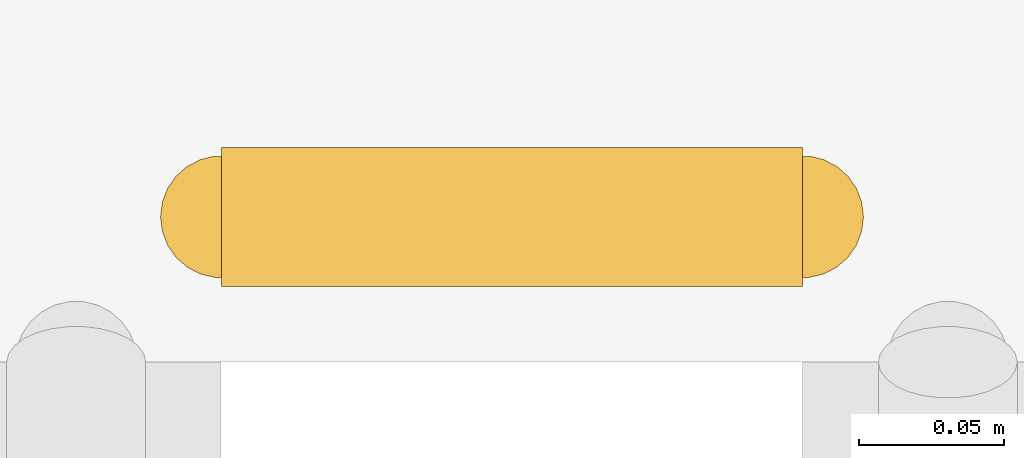
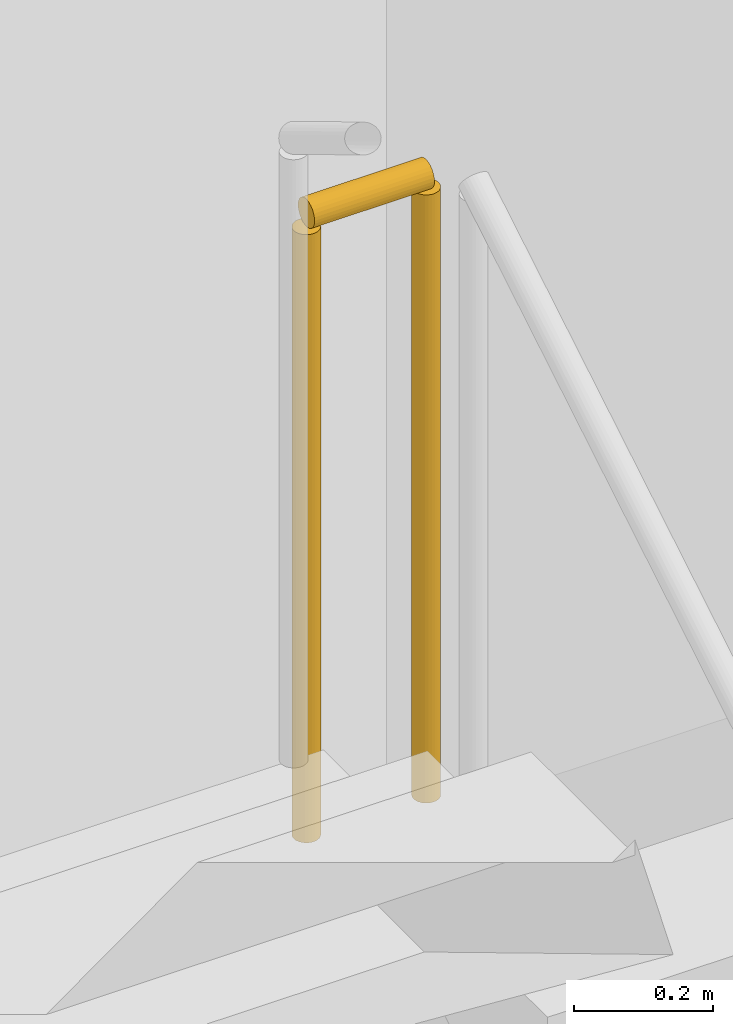
# One storey, part 72 of 74: 1 railing.
"""IFC4 building model written with IfcOpenShell, lengths in metres."""

import ifcopenshell
import ifcopenshell.guid

model = None  # the IFC model being written
_history = None  # IfcOwnerHistory: only IFC2X3 demands one
_inside = {}  # id of a spatial element -> (the spatial element, [elements in it])
_under = {}  # id of a project, library or spatial element -> (it, [spatial elements below it])
_declared = {}  # id of a project -> (the project, [libraries it declares])
_typed = {}  # id of a type object -> (the type object, [elements of that type])
_made_of = {}  # id of a material, layer set ... -> (it, [elements and type objects made of it])


def new_model(schema):
    """Start an empty IFC model of exactly this schema.

    Asked for "IFC4X3", IfcOpenShell would pick the latest addendum, in which some entities
    have other attributes; the version numbers below select the first issue.
    IFC2X3 requires an IfcOwnerHistory on every rooted entity: one is made here for all.
    """
    global model, _history
    if schema == "IFC4X3":
        model = ifcopenshell.file(schema_version=(4, 3, 0, 0))
    else:
        model = ifcopenshell.file(schema=schema)
    _inside.clear()
    _under.clear()
    _declared.clear()
    _typed.clear()
    _made_of.clear()
    _history = None
    if model.schema == "IFC2X3":
        org = make("IfcOrganization", Name="unknown")
        user = make(
            "IfcPersonAndOrganization",
            ThePerson=make("IfcPerson", FamilyName="unknown"),
            TheOrganization=org,
        )
        app = make(
            "IfcApplication",
            ApplicationDeveloper=org,
            Version="unknown",
            ApplicationFullName="unknown",
            ApplicationIdentifier="unknown",
        )
        _history = make(
            "IfcOwnerHistory",
            OwningUser=user,
            OwningApplication=app,
            ChangeAction="ADDED",
            CreationDate=0,
        )
    return model


def make(cls, **values):
    """One entity of the class cls with the attributes given. An attribute that is None is left unset."""
    return model.create_entity(
        cls, **{name: value for name, value in values.items() if value is not None}
    )


def rooted(cls, **values):
    """An entity with a GlobalId (a new one), such as an element, a storey or a relation."""
    return make(cls, GlobalId=ifcopenshell.guid.new(), OwnerHistory=_history, **values)


def si_unit(unit_type, name, prefix=None):
    """IfcSIUnit, for example si_unit("LENGTHUNIT", "METRE", prefix="MILLI")."""
    return make("IfcSIUnit", UnitType=unit_type, Prefix=prefix, Name=name)


def assignment(units):
    """IfcUnitAssignment: the units of a project."""
    return None if units is None else make("IfcUnitAssignment", Units=units)


def point(xyz):
    """IfcCartesianPoint."""
    return None if xyz is None else make("IfcCartesianPoint", Coordinates=xyz)


def direction(xyz):
    """IfcDirection."""
    return None if xyz is None else make("IfcDirection", DirectionRatios=xyz)


def frame(location, z_axis=None, x_axis=None):
    """IfcAxis2Placement3D, a coordinate frame: its origin and axes. An axis left out is left unset."""
    return make(
        "IfcAxis2Placement3D",
        Location=point(location),
        Axis=direction(z_axis),
        RefDirection=direction(x_axis),
    )


def frame_2d(location, x_axis=None):
    """IfcAxis2Placement2D, a coordinate frame in the plane: its origin and x axis."""
    return make(
        "IfcAxis2Placement2D", Location=point(location), RefDirection=direction(x_axis)
    )


def origin():
    """The frame at (0, 0, 0) with its axes left unset."""
    return frame((0.0, 0.0, 0.0))


def origin_2d():
    """The frame at (0, 0) in the plane with its x axis left unset."""
    return frame_2d((0.0, 0.0))


def place(relative_to, where):
    """IfcLocalPlacement: puts the frame where relative to a parent placement (None: the world)."""
    return make(
        "IfcLocalPlacement", PlacementRelTo=relative_to, RelativePlacement=where
    )


def context(
    kind, dimensions, precision=None, world=None, true_north=None, identifier=None
):
    """IfcGeometricRepresentationContext, for example the 3D "Model" context."""
    return make(
        "IfcGeometricRepresentationContext",
        ContextIdentifier=identifier,
        ContextType=kind,
        CoordinateSpaceDimension=dimensions,
        Precision=precision,
        WorldCoordinateSystem=world,
        TrueNorth=true_north,
    )


def subcontext(parent, identifier, kind, view, scale=None):
    """IfcGeometricRepresentationSubContext, for example "Body" below "Model"."""
    return make(
        "IfcGeometricRepresentationSubContext",
        ContextIdentifier=identifier,
        ContextType=kind,
        ParentContext=parent,
        TargetScale=scale,
        TargetView=view,
    )


def project(units=None, contexts=None):
    """IfcProject with its units and contexts."""
    return rooted(
        "IfcProject",
        Name="project",
        RepresentationContexts=contexts,
        UnitsInContext=assignment(units),
    )


def spatial(cls, under=None, at=None, **own):
    """A site, building, storey or space (cls), placed at a placement, below another one or the project."""
    s = rooted(cls, ObjectPlacement=at, **own)
    if under is not None:
        _under.setdefault(under.id(), (under, []))[1].append(s)
    return s


def profile(cls, at=None, kind="AREA", **sizes):
    """A parametric profile (cls). Its sizes go by their IFC names, for example OverallWidth=200.0."""
    return make(cls, ProfileType=kind, Position=at, **sizes)


def circle(**sizes):
    """IfcCircleProfileDef."""
    return profile("IfcCircleProfileDef", **sizes)


def extrude(swept, where, along, depth):
    """IfcExtrudedAreaSolid: the profile swept, set in the frame where, extruded along a direction by depth."""
    return make(
        "IfcExtrudedAreaSolid",
        SweptArea=swept,
        Position=where,
        ExtrudedDirection=direction(along),
        Depth=depth,
    )


def shape(context_of_items, identifier, shape_type, items):
    """IfcShapeRepresentation: the items that make up one representation, for example the "Body"."""
    return make(
        "IfcShapeRepresentation",
        ContextOfItems=context_of_items,
        RepresentationIdentifier=identifier,
        RepresentationType=shape_type,
        Items=items,
    )


def material(Name=None, Category=None):
    """IfcMaterial."""
    return make("IfcMaterial", Name=Name, Category=Category)


def made_of(thing, what):
    """Note that an element or type object is made of a material, layer set ...; save() writes the relation."""
    if what is not None:
        _made_of.setdefault(what.id(), (what, []))[1].append(thing)
    return thing


def type_object(cls, material=None, **own):
    """A type object (cls), such as IfcWallType, which elements share."""
    return made_of(rooted(cls, **own), material)


def element(
    cls,
    number,
    at=None,
    inside=None,
    cuts=None,
    type_object=None,
    material=None,
    context=None,
    identifier="Body",
    shape_type=None,
    held_by="IfcProductDefinitionShape",
    body=None,
    shapes=None,
    **own,
):
    """One element of the class cls, such as IfcWall. Its Tag is "e" and its number.

    at: its placement. inside: the storey or other place that contains it. cuts: it is an
    opening in that element (IfcRelVoidsElement). A single representation is given by context,
    identifier, shape_type and body (its items); several are given by shapes. held_by: the class
    of the entity that holds the representations. save() writes the other relations.
    """
    e = rooted(cls, Tag="e%d" % number, ObjectPlacement=at, **own)
    if body is not None:
        shapes = [shape(context, identifier, shape_type, body)]
    if shapes is not None:
        e.Representation = make(held_by, Representations=shapes)
    if inside is not None:
        _inside.setdefault(inside.id(), (inside, []))[1].append(e)
    if cuts is not None:
        rooted(
            "IfcRelVoidsElement", RelatingBuildingElement=cuts, RelatedOpeningElement=e
        )
    if type_object is not None:
        _typed.setdefault(type_object.id(), (type_object, []))[1].append(e)
    return made_of(e, material)


def aggregate(whole, parts):
    """IfcRelAggregates: a whole, such as a stair, and the parts it consists of."""
    return rooted("IfcRelAggregates", RelatingObject=whole, RelatedObjects=parts)


def save(model, path):
    """Write the relations noted so far, then the file.

    IfcRelAggregates (storeys below a building ...), IfcRelContainedInSpatialStructure (elements
    in a storey), IfcRelDefinesByType, IfcRelAssociatesMaterial and IfcRelDeclares: one each for
    every whole, place, type object, material and project.
    """
    for whole, parts in _under.values():
        aggregate(whole, parts)
    for where, things in _inside.values():
        rooted(
            "IfcRelContainedInSpatialStructure",
            RelatedElements=things,
            RelatingStructure=where,
        )
    for kind, things in _typed.values():
        rooted("IfcRelDefinesByType", RelatedObjects=things, RelatingType=kind)
    for what, things in _made_of.values():
        rooted("IfcRelAssociatesMaterial", RelatedObjects=things, RelatingMaterial=what)
    for by, libraries in _declared.values():
        rooted("IfcRelDeclares", RelatingContext=by, RelatedDefinitions=libraries)
    model.write(path)


model = new_model("IFC4")

# Units and contexts
model_context = context("Model", 3, precision=1e-05, world=origin(), true_north=direction((0.0, 1.0)))
body_context = subcontext(model_context, "Body", "Model", "MODEL_VIEW")
ifc_project = project(units=[si_unit("LENGTHUNIT", "METRE"), si_unit("AREAUNIT", "SQUARE_METRE"), si_unit("VOLUMEUNIT", "CUBIC_METRE"), si_unit("PLANEANGLEUNIT", "RADIAN"), si_unit("MASSUNIT", "GRAM", prefix="KILO")], contexts=[model_context])

# Site, building, storey
site_placement = place(None, origin())
site = spatial("IfcSite", under=ifc_project, at=site_placement, CompositionType="ELEMENT")
building_placement = place(site_placement, origin())
building = spatial("IfcBuilding", under=site, at=building_placement, Name="Soyqirgoq Riverine Aquarium", CompositionType="ELEMENT")
storey_placement = place(building_placement, origin())
storey = spatial("IfcBuildingStorey", under=building, at=storey_placement, Name="L01", CompositionType="ELEMENT", Elevation=0.0)

# Railing
ifc_material = material(Name="Painted steel infill stair-well guardrail", Category="steel")
railing_type = type_object("IfcRailingType", Name="StairWellGuard_1120", PredefinedType="GUARDRAIL", material=ifc_material)
railing_placement = place(storey_placement, frame((126.25, 66.300048828125, 2.699951171875)))
element("IfcRailing", 1, at=railing_placement, inside=storey, type_object=railing_type, Name="L01 ST-8 stair guard 2", PredefinedType="GUARDRAIL", context=body_context, shape_type="SweptSolid", body=[
    extrude(circle(Radius=0.02392578125, at=origin_2d()), frame((0.0, 0.0, 1.09619140625), z_axis=(-1.0, 0.0, 0.0), x_axis=(0.0, -1.0, 0.0)), (0.0, 0.0, 1.0), 0.199951171875),
    extrude(circle(Radius=0.02099609375, at=origin_2d()), origin(), (0.0, 0.0, 1.0), 1.072021484375),
    extrude(circle(Radius=0.02099609375, at=origin_2d()), frame((-0.199951171875, 0.0, 0.0)), (0.0, 0.0, 1.0), 1.072021484375),
])

save(model, "model.ifc")
